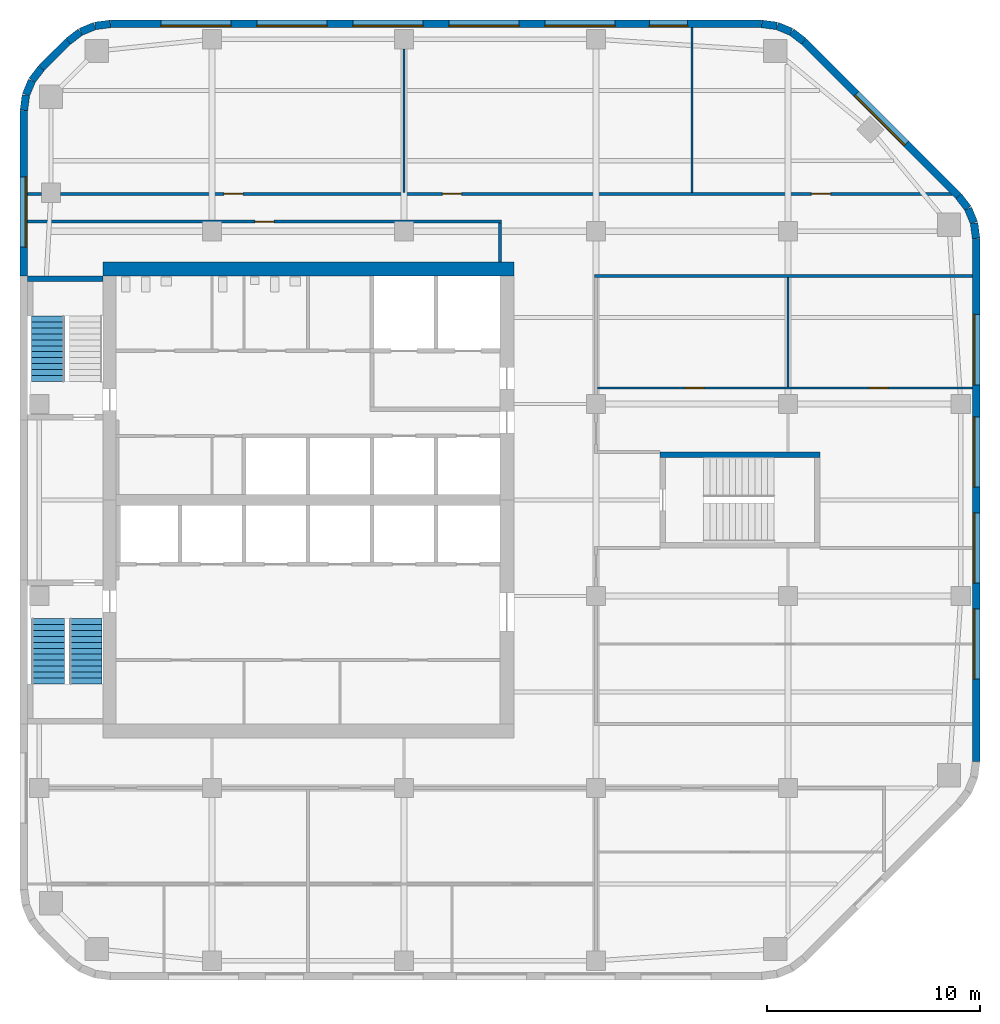
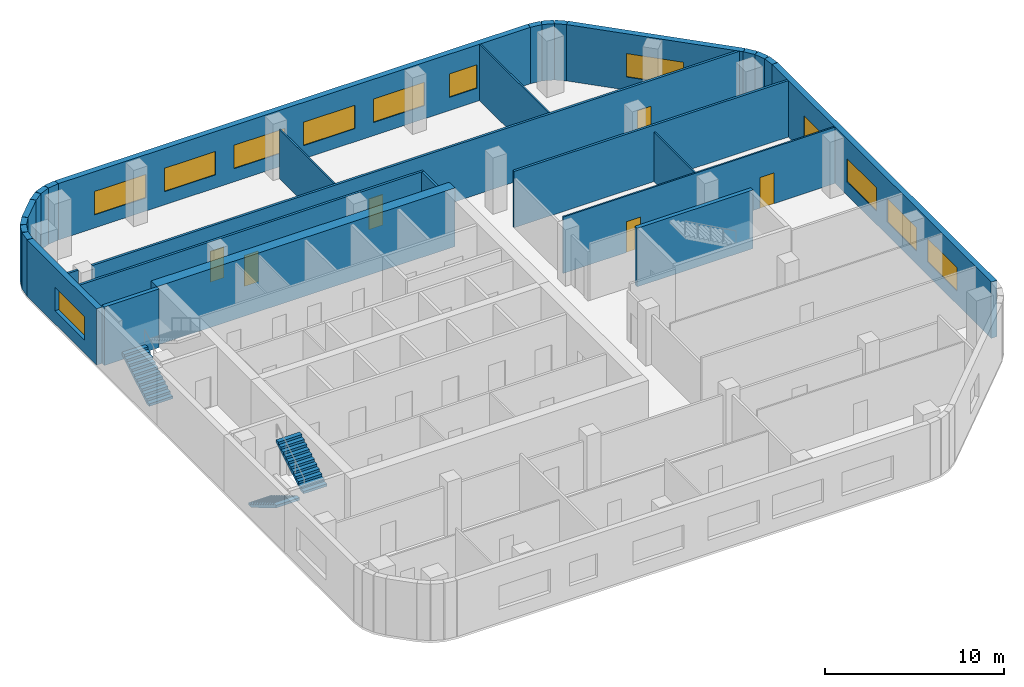
# One storey, part 5 of 8: 29 walls, 12 windows, 6 doors, 3 stair flights, 18 openings, 2 elements without a shape of their own.
"""IFC4 building model written with IfcOpenShell, lengths in metres."""

import ifcopenshell
import ifcopenshell.guid

model = None  # the IFC model being written
_history = None  # IfcOwnerHistory: only IFC2X3 demands one
_inside = {}  # id of a spatial element -> (the spatial element, [elements in it])
_under = {}  # id of a project, library or spatial element -> (it, [spatial elements below it])
_declared = {}  # id of a project -> (the project, [libraries it declares])
_typed = {}  # id of a type object -> (the type object, [elements of that type])
_made_of = {}  # id of a material, layer set ... -> (it, [elements and type objects made of it])


def new_model(schema):
    """Start an empty IFC model of exactly this schema.

    Asked for "IFC4X3", IfcOpenShell would pick the latest addendum, in which some entities
    have other attributes; the version numbers below select the first issue.
    IFC2X3 requires an IfcOwnerHistory on every rooted entity: one is made here for all.
    """
    global model, _history
    if schema == "IFC4X3":
        model = ifcopenshell.file(schema_version=(4, 3, 0, 0))
    else:
        model = ifcopenshell.file(schema=schema)
    _inside.clear()
    _under.clear()
    _declared.clear()
    _typed.clear()
    _made_of.clear()
    _history = None
    if model.schema == "IFC2X3":
        org = make("IfcOrganization", Name="unknown")
        user = make(
            "IfcPersonAndOrganization",
            ThePerson=make("IfcPerson", FamilyName="unknown"),
            TheOrganization=org,
        )
        app = make(
            "IfcApplication",
            ApplicationDeveloper=org,
            Version="unknown",
            ApplicationFullName="unknown",
            ApplicationIdentifier="unknown",
        )
        _history = make(
            "IfcOwnerHistory",
            OwningUser=user,
            OwningApplication=app,
            ChangeAction="ADDED",
            CreationDate=0,
        )
    return model


def make(cls, **values):
    """One entity of the class cls with the attributes given. An attribute that is None is left unset."""
    return model.create_entity(
        cls, **{name: value for name, value in values.items() if value is not None}
    )


def rooted(cls, **values):
    """An entity with a GlobalId (a new one), such as an element, a storey or a relation."""
    return make(cls, GlobalId=ifcopenshell.guid.new(), OwnerHistory=_history, **values)


def si_unit(unit_type, name, prefix=None):
    """IfcSIUnit, for example si_unit("LENGTHUNIT", "METRE", prefix="MILLI")."""
    return make("IfcSIUnit", UnitType=unit_type, Prefix=prefix, Name=name)


def assignment(units):
    """IfcUnitAssignment: the units of a project."""
    return None if units is None else make("IfcUnitAssignment", Units=units)


def point(xyz):
    """IfcCartesianPoint."""
    return None if xyz is None else make("IfcCartesianPoint", Coordinates=xyz)


def direction(xyz):
    """IfcDirection."""
    return None if xyz is None else make("IfcDirection", DirectionRatios=xyz)


def frame(location, z_axis=None, x_axis=None):
    """IfcAxis2Placement3D, a coordinate frame: its origin and axes. An axis left out is left unset."""
    return make(
        "IfcAxis2Placement3D",
        Location=point(location),
        Axis=direction(z_axis),
        RefDirection=direction(x_axis),
    )


def frame_2d(location, x_axis=None):
    """IfcAxis2Placement2D, a coordinate frame in the plane: its origin and x axis."""
    return make(
        "IfcAxis2Placement2D", Location=point(location), RefDirection=direction(x_axis)
    )


def origin():
    """The frame at (0, 0, 0) with its axes left unset."""
    return frame((0.0, 0.0, 0.0))


def place(relative_to, where):
    """IfcLocalPlacement: puts the frame where relative to a parent placement (None: the world)."""
    return make(
        "IfcLocalPlacement", PlacementRelTo=relative_to, RelativePlacement=where
    )


def context(
    kind, dimensions, precision=None, world=None, true_north=None, identifier=None
):
    """IfcGeometricRepresentationContext, for example the 3D "Model" context."""
    return make(
        "IfcGeometricRepresentationContext",
        ContextIdentifier=identifier,
        ContextType=kind,
        CoordinateSpaceDimension=dimensions,
        Precision=precision,
        WorldCoordinateSystem=world,
        TrueNorth=true_north,
    )


def subcontext(parent, identifier, kind, view, scale=None):
    """IfcGeometricRepresentationSubContext, for example "Body" below "Model"."""
    return make(
        "IfcGeometricRepresentationSubContext",
        ContextIdentifier=identifier,
        ContextType=kind,
        ParentContext=parent,
        TargetScale=scale,
        TargetView=view,
    )


def project(units=None, contexts=None):
    """IfcProject with its units and contexts."""
    return rooted(
        "IfcProject",
        Name="project",
        RepresentationContexts=contexts,
        UnitsInContext=assignment(units),
    )


def spatial(cls, under=None, at=None, **own):
    """A site, building, storey or space (cls), placed at a placement, below another one or the project."""
    s = rooted(cls, ObjectPlacement=at, **own)
    if under is not None:
        _under.setdefault(under.id(), (under, []))[1].append(s)
    return s


def polyline(points):
    """IfcPolyline through the points."""
    return make("IfcPolyline", Points=[point(p) for p in points])


def profile(cls, at=None, kind="AREA", **sizes):
    """A parametric profile (cls). Its sizes go by their IFC names, for example OverallWidth=200.0."""
    return make(cls, ProfileType=kind, Position=at, **sizes)


def rectangle(**sizes):
    """IfcRectangleProfileDef."""
    return profile("IfcRectangleProfileDef", **sizes)


def outline(outer, holes=None, kind="AREA"):
    """IfcArbitraryClosedProfileDef: a profile drawn as a closed curve; with holes, ...WithVoids."""
    if holes is None:
        return make("IfcArbitraryClosedProfileDef", ProfileType=kind, OuterCurve=outer)
    return make(
        "IfcArbitraryProfileDefWithVoids",
        ProfileType=kind,
        OuterCurve=outer,
        InnerCurves=holes,
    )


def extrude(swept, where, along, depth):
    """IfcExtrudedAreaSolid: the profile swept, set in the frame where, extruded along a direction by depth."""
    return make(
        "IfcExtrudedAreaSolid",
        SweptArea=swept,
        Position=where,
        ExtrudedDirection=direction(along),
        Depth=depth,
    )


def shape(context_of_items, identifier, shape_type, items):
    """IfcShapeRepresentation: the items that make up one representation, for example the "Body"."""
    return make(
        "IfcShapeRepresentation",
        ContextOfItems=context_of_items,
        RepresentationIdentifier=identifier,
        RepresentationType=shape_type,
        Items=items,
    )


def material(Name=None, Category=None):
    """IfcMaterial."""
    return make("IfcMaterial", Name=Name, Category=Category)


def layer(
    of_material, thickness, ventilated=None, Name=None, Category=None, Priority=None
):
    """IfcMaterialLayer: one layer of a wall or slab, of a material (None: an air gap)."""
    return make(
        "IfcMaterialLayer",
        Material=of_material,
        LayerThickness=thickness,
        IsVentilated=ventilated,
        Name=Name,
        Category=Category,
        Priority=Priority,
    )


def layer_set(layers, Name=None):
    """IfcMaterialLayerSet."""
    return make("IfcMaterialLayerSet", MaterialLayers=layers, LayerSetName=Name)


def made_of(thing, what):
    """Note that an element or type object is made of a material, layer set ...; save() writes the relation."""
    if what is not None:
        _made_of.setdefault(what.id(), (what, []))[1].append(thing)
    return thing


def type_object(cls, material=None, **own):
    """A type object (cls), such as IfcWallType, which elements share."""
    return made_of(rooted(cls, **own), material)


def element(
    cls,
    number,
    at=None,
    inside=None,
    cuts=None,
    type_object=None,
    material=None,
    context=None,
    identifier="Body",
    shape_type=None,
    held_by="IfcProductDefinitionShape",
    body=None,
    shapes=None,
    **own,
):
    """One element of the class cls, such as IfcWall. Its Tag is "e" and its number.

    at: its placement. inside: the storey or other place that contains it. cuts: it is an
    opening in that element (IfcRelVoidsElement). A single representation is given by context,
    identifier, shape_type and body (its items); several are given by shapes. held_by: the class
    of the entity that holds the representations. save() writes the other relations.
    """
    e = rooted(cls, Tag="e%d" % number, ObjectPlacement=at, **own)
    if body is not None:
        shapes = [shape(context, identifier, shape_type, body)]
    if shapes is not None:
        e.Representation = make(held_by, Representations=shapes)
    if inside is not None:
        _inside.setdefault(inside.id(), (inside, []))[1].append(e)
    if cuts is not None:
        rooted(
            "IfcRelVoidsElement", RelatingBuildingElement=cuts, RelatedOpeningElement=e
        )
    if type_object is not None:
        _typed.setdefault(type_object.id(), (type_object, []))[1].append(e)
    return made_of(e, material)


def fill(opening, filler):
    """IfcRelFillsElement: the door or window that sits in an opening."""
    return rooted(
        "IfcRelFillsElement",
        RelatingOpeningElement=opening,
        RelatedBuildingElement=filler,
    )


def aggregate(whole, parts):
    """IfcRelAggregates: a whole, such as a stair, and the parts it consists of."""
    return rooted("IfcRelAggregates", RelatingObject=whole, RelatedObjects=parts)


def save(model, path):
    """Write the relations noted so far, then the file.

    IfcRelAggregates (storeys below a building ...), IfcRelContainedInSpatialStructure (elements
    in a storey), IfcRelDefinesByType, IfcRelAssociatesMaterial and IfcRelDeclares: one each for
    every whole, place, type object, material and project.
    """
    for whole, parts in _under.values():
        aggregate(whole, parts)
    for where, things in _inside.values():
        rooted(
            "IfcRelContainedInSpatialStructure",
            RelatedElements=things,
            RelatingStructure=where,
        )
    for kind, things in _typed.values():
        rooted("IfcRelDefinesByType", RelatedObjects=things, RelatingType=kind)
    for what, things in _made_of.values():
        rooted("IfcRelAssociatesMaterial", RelatedObjects=things, RelatingMaterial=what)
    for by, libraries in _declared.values():
        rooted("IfcRelDeclares", RelatingContext=by, RelatedDefinitions=libraries)
    model.write(path)


model = new_model("IFC4")

# Units and contexts
model_context = context("Model", 3, precision=1e-05, world=origin(), true_north=direction((0.0, 1.0)))
body_context = subcontext(model_context, "Body", "Model", "MODEL_VIEW")
ifc_project = project(units=[si_unit("LENGTHUNIT", "METRE"), si_unit("AREAUNIT", "SQUARE_METRE"), si_unit("VOLUMEUNIT", "CUBIC_METRE"), si_unit("PLANEANGLEUNIT", "RADIAN"), si_unit("MASSUNIT", "GRAM", prefix="KILO")], contexts=[model_context])

# Site, building, storey
site_placement = place(None, origin())
site = spatial("IfcSite", under=ifc_project, at=site_placement, CompositionType="ELEMENT")
building_placement = place(site_placement, origin())
building = spatial("IfcBuilding", under=site, at=building_placement, Name="Cinnabar Reach Civic Tower", CompositionType="ELEMENT")
storey_placement = place(building_placement, frame((0.0, 0.0, 181.0)))
storey = spatial("IfcBuildingStorey", under=building, at=storey_placement, Name="L43", CompositionType="ELEMENT", Elevation=181.0)

# Walls
ifc_material_1 = material(Name="Facing brick with insulated backing", Category="masonry")
ifc_layer_1 = layer(ifc_material_1, 0.36)
ifc_layer_set_1 = layer_set([ifc_layer_1], Name="Brick corner wall")
wall_type_1 = type_object("IfcWallType", Name="Brick corner wall", PredefinedType="STANDARD", material=ifc_layer_set_1)
for number, where, z_axis, x_axis, name in (
    (1, (44.817, 43.7686, 0.0), (0.0, 0.0, 1.0), (-0.13055608231, 0.99144092581, 0.0), "Brick corner wall"),
    (2, (44.7181, 44.4973, 0.0), (0.0, 0.0, 1.0), (-0.382702709855, 0.923871547278, 0.0), "Brick corner wall"),
):
    element("IfcWall", number, at=place(storey_placement, frame(where, z_axis=z_axis, x_axis=x_axis)), inside=storey, type_object=wall_type_1, Name=name, PredefinedType="STANDARD", context=body_context, shape_type="SweptSolid", body=[
        extrude(rectangle(XDim=0.7131, YDim=0.36, at=frame_2d((0.3565, 0.0))), origin(), (0.0, 0.0, 1.0), 3.85),
    ])
for number, where, z_axis, x_axis, name in (
    (3, (44.434, 45.1755, 0.0), (0.0, 0.0, 1.0), (-0.608802368033, 0.793321924995, 0.0), "Brick corner wall"),
    (4, (36.7413, 52.9998, 0.0), (0.0, 0.0, 1.0), (-0.793321924995, 0.608802368033, 0.0), "Brick corner wall"),
):
    element("IfcWall", number, at=place(storey_placement, frame(where, z_axis=z_axis, x_axis=x_axis)), inside=storey, type_object=wall_type_1, Name=name, PredefinedType="STANDARD", context=body_context, shape_type="SweptSolid", body=[
        extrude(rectangle(XDim=0.7132, YDim=0.36, at=frame_2d((0.3566, 0.0))), origin(), (0.0, 0.0, 1.0), 3.85),
    ])
for number, where, z_axis, x_axis, name in (
    (5, (36.1561, 53.4452, 0.0), (0.0, 0.0, 1.0), (-0.923871547278, 0.382702709855, 0.0), "Brick corner wall"),
    (6, (35.4756, 53.7239, 0.0), (0.0, 0.0, 1.0), (-0.99144092581, 0.13055608231, 0.0), "Brick corner wall"),
    (7, (4.2314, 53.817, 0.0), (0.0, 0.0, 1.0), (-0.99144092581, -0.13055608231, 0.0), "Brick corner wall"),
    (8, (3.5027, 53.7181, 0.0), (0.0, 0.0, 1.0), (-0.923871547278, -0.382702709855, 0.0), "Brick corner wall"),
):
    element("IfcWall", number, at=place(storey_placement, frame(where, z_axis=z_axis, x_axis=x_axis)), inside=storey, type_object=wall_type_1, Name=name, PredefinedType="STANDARD", context=body_context, shape_type="SweptSolid", body=[
        extrude(rectangle(XDim=0.7131, YDim=0.36, at=frame_2d((0.3565, 0.0))), origin(), (0.0, 0.0, 1.0), 3.85),
    ])
for number, where, z_axis, x_axis, name in (
    (9, (2.8245, 53.434, 0.0), (0.0, 0.0, 1.0), (-0.793321924995, -0.608802368033, 0.0), "Brick corner wall"),
    (10, (1.0002, 51.7413, 0.0), (0.0, 0.0, 1.0), (-0.608802368033, -0.793321924995, 0.0), "Brick corner wall"),
):
    element("IfcWall", number, at=place(storey_placement, frame(where, z_axis=z_axis, x_axis=x_axis)), inside=storey, type_object=wall_type_1, Name=name, PredefinedType="STANDARD", context=body_context, shape_type="SweptSolid", body=[
        extrude(rectangle(XDim=0.7132, YDim=0.36, at=frame_2d((0.3566, 0.0))), origin(), (0.0, 0.0, 1.0), 3.85),
    ])
for number, where, z_axis, x_axis, name in (
    (11, (0.5548, 51.1561, 0.0), (0.0, 0.0, 1.0), (-0.382702709855, -0.923871547278, 0.0), "Brick corner wall"),
    (12, (0.2761, 50.4756, 0.0), (0.0, 0.0, 1.0), (-0.13055608231, -0.99144092581, 0.0), "Brick corner wall"),
):
    element("IfcWall", number, at=place(storey_placement, frame(where, z_axis=z_axis, x_axis=x_axis)), inside=storey, type_object=wall_type_1, Name=name, PredefinedType="STANDARD", context=body_context, shape_type="SweptSolid", body=[
        extrude(rectangle(XDim=0.7131, YDim=0.36, at=frame_2d((0.3565, 0.0))), origin(), (0.0, 0.0, 1.0), 3.85),
    ])

# Wall, openings, windows
ifc_layer_2 = layer(ifc_material_1, 0.36)
ifc_layer_set_2 = layer_set([ifc_layer_2], Name="Brick pier and spandrel wall")
wall_type_2 = type_object("IfcWallType", Name="Brick pier and spandrel wall", PredefinedType="STANDARD", material=ifc_layer_set_2)
wall_1_placement = place(storey_placement, frame((44.82, 19.2426, 0.0), z_axis=(0.0, 0.0, 1.0), x_axis=(0.0, 1.0, 0.0)))
wall_1 = element("IfcWall", 13, at=wall_1_placement, inside=storey, type_object=wall_type_2, Name="Brick facade wall", PredefinedType="STANDARD", context=body_context, shape_type="SweptSolid", body=[
    extrude(rectangle(XDim=24.5148, YDim=0.36, at=frame_2d((12.2574, 0.0))), origin(), (0.0, 0.0, 1.0), 3.85),
])
opening_1_placement = place(wall_1_placement, frame((3.8574, 0.0, 0.9)))
opening_1 = element("IfcOpeningElement", 14, at=opening_1_placement, cuts=wall_1, Name="Opening W1888", PredefinedType="OPENING", context=body_context, shape_type="SweptSolid", body=[
    extrude(rectangle(XDim=3.3, YDim=1.6, at=frame_2d((1.65, 0.8))), frame((0.0, 0.19, 0.0), z_axis=(0.0, -1.0, 0.0), x_axis=(1.0, 0.0, 0.0)), (0.0, 0.0, 1.0), 0.38),
])
opening_2_placement = place(wall_1_placement, frame((8.3574, 0.0, 0.9)))
opening_2 = element("IfcOpeningElement", 15, at=opening_2_placement, cuts=wall_1, Name="Opening W1889", PredefinedType="OPENING", context=body_context, shape_type="SweptSolid", body=[
    extrude(rectangle(XDim=3.3, YDim=1.6, at=frame_2d((1.65, 0.8))), frame((0.0, 0.19, 0.0), z_axis=(0.0, -1.0, 0.0), x_axis=(1.0, 0.0, 0.0)), (0.0, 0.0, 1.0), 0.38),
])
opening_3_placement = place(wall_1_placement, frame((12.8574, 0.0, 0.9)))
opening_3 = element("IfcOpeningElement", 16, at=opening_3_placement, cuts=wall_1, Name="Opening W1890", PredefinedType="OPENING", context=body_context, shape_type="SweptSolid", body=[
    extrude(rectangle(XDim=3.3, YDim=1.6, at=frame_2d((1.65, 0.8))), frame((0.0, 0.19, 0.0), z_axis=(0.0, -1.0, 0.0), x_axis=(1.0, 0.0, 0.0)), (0.0, 0.0, 1.0), 0.38),
])
opening_4_placement = place(wall_1_placement, frame((17.6574, 0.0, 0.9)))
opening_4 = element("IfcOpeningElement", 17, at=opening_4_placement, cuts=wall_1, Name="Opening W1891", PredefinedType="OPENING", context=body_context, shape_type="SweptSolid", body=[
    extrude(rectangle(XDim=3.3, YDim=1.6, at=frame_2d((1.65, 0.8))), frame((0.0, 0.19, 0.0), z_axis=(0.0, -1.0, 0.0), x_axis=(1.0, 0.0, 0.0)), (0.0, 0.0, 1.0), 0.38),
])
ifc_material_2 = material(Name="Clear double glazing in aluminium frame", Category="aluminium")
window_type_1 = type_object("IfcWindowType", Name="Deep-set window A", PartitioningType="SINGLE_PANEL", PredefinedType="WINDOW", material=ifc_material_2)
window_1_placement = place(opening_1_placement, origin())
window_1 = element("IfcWindow", 18, at=window_1_placement, inside=storey, type_object=window_type_1, Name="Window east face", OverallHeight=1.6, OverallWidth=3.3, PartitioningType="SINGLE_PANEL", PredefinedType="WINDOW", context=body_context, shape_type="SweptSolid", body=[
    extrude(rectangle(XDim=3.3, YDim=1.6, at=frame_2d((1.65, 0.8))), frame((0.0, 0.13, 0.0), z_axis=(0.0, -1.0, 0.0), x_axis=(1.0, 0.0, 0.0)), (0.0, 0.0, 1.0), 0.06),
])
fill(opening_1, window_1)
window_2_placement = place(opening_2_placement, origin())
window_2 = element("IfcWindow", 19, at=window_2_placement, inside=storey, type_object=window_type_1, Name="Window east face", OverallHeight=1.6, OverallWidth=3.3, PartitioningType="SINGLE_PANEL", PredefinedType="WINDOW", context=body_context, shape_type="SweptSolid", body=[
    extrude(rectangle(XDim=3.3, YDim=1.6, at=frame_2d((1.65, 0.8))), frame((0.0, 0.13, 0.0), z_axis=(0.0, -1.0, 0.0), x_axis=(1.0, 0.0, 0.0)), (0.0, 0.0, 1.0), 0.06),
])
fill(opening_2, window_2)
window_3_placement = place(opening_3_placement, origin())
window_3 = element("IfcWindow", 20, at=window_3_placement, inside=storey, type_object=window_type_1, Name="Window east face", OverallHeight=1.6, OverallWidth=3.3, PartitioningType="SINGLE_PANEL", PredefinedType="WINDOW", context=body_context, shape_type="SweptSolid", body=[
    extrude(rectangle(XDim=3.3, YDim=1.6, at=frame_2d((1.65, 0.8))), frame((0.0, 0.13, 0.0), z_axis=(0.0, -1.0, 0.0), x_axis=(1.0, 0.0, 0.0)), (0.0, 0.0, 1.0), 0.06),
])
fill(opening_3, window_3)
window_4_placement = place(opening_4_placement, origin())
window_4 = element("IfcWindow", 21, at=window_4_placement, inside=storey, type_object=window_type_1, Name="Window east face", OverallHeight=1.6, OverallWidth=3.3, PartitioningType="SINGLE_PANEL", PredefinedType="WINDOW", context=body_context, shape_type="SweptSolid", body=[
    extrude(rectangle(XDim=3.3, YDim=1.6, at=frame_2d((1.65, 0.8))), frame((0.0, 0.13, 0.0), z_axis=(0.0, -1.0, 0.0), x_axis=(1.0, 0.0, 0.0)), (0.0, 0.0, 1.0), 0.06),
])
fill(opening_4, window_4)

# Wall, opening, window
wall_2_placement = place(storey_placement, frame((43.994, 45.7514, 0.0), z_axis=(0.0, 0.0, 1.0), x_axis=(-0.707106781187, 0.707106781187, 0.0)))
wall_2 = element("IfcWall", 22, at=wall_2_placement, inside=storey, type_object=wall_type_2, Name="Brick facade wall", PredefinedType="STANDARD", context=body_context, shape_type="SweptSolid", body=[
    extrude(rectangle(XDim=10.2426, YDim=0.36, at=frame_2d((5.1213, 0.0))), origin(), (0.0, 0.0, 1.0), 3.85),
])
opening_5_placement = place(wall_2_placement, frame((3.4713, 0.0, 0.9)))
opening_5 = element("IfcOpeningElement", 23, at=opening_5_placement, cuts=wall_2, Name="Opening W1892", PredefinedType="OPENING", context=body_context, shape_type="SweptSolid", body=[
    extrude(rectangle(XDim=3.3, YDim=1.6, at=frame_2d((1.65, 0.8))), frame((0.0, 0.19, 0.0), z_axis=(0.0, -1.0, 0.0), x_axis=(1.0, 0.0, 0.0)), (0.0, 0.0, 1.0), 0.38),
])
window_5_placement = place(opening_5_placement, origin())
window_5 = element("IfcWindow", 24, at=window_5_placement, inside=storey, type_object=window_type_1, Name="Window northeast face", OverallHeight=1.6, OverallWidth=3.3, PartitioningType="SINGLE_PANEL", PredefinedType="WINDOW", context=body_context, shape_type="SweptSolid", body=[
    extrude(rectangle(XDim=3.3, YDim=1.6, at=frame_2d((1.65, 0.8))), frame((0.0, 0.13, 0.0), z_axis=(0.0, -1.0, 0.0), x_axis=(1.0, 0.0, 0.0)), (0.0, 0.0, 1.0), 0.06),
])
fill(opening_5, window_5)

# Wall, openings, windows
wall_3_placement = place(storey_placement, frame((34.7574, 53.82, 0.0), z_axis=(0.0, 0.0, 1.0), x_axis=(-1.0, 0.0, 0.0)))
wall_3 = element("IfcWall", 25, at=wall_3_placement, inside=storey, type_object=wall_type_2, Name="Brick facade wall", PredefinedType="STANDARD", context=body_context, shape_type="SweptSolid", body=[
    extrude(rectangle(XDim=30.5148, YDim=0.36, at=frame_2d((15.2574, 0.0))), origin(), (0.0, 0.0, 1.0), 3.85),
])
opening_6_placement = place(wall_3_placement, frame((3.4574, 0.0, 0.9)))
opening_6 = element("IfcOpeningElement", 26, at=opening_6_placement, cuts=wall_3, Name="Opening W1893", PredefinedType="OPENING", context=body_context, shape_type="SweptSolid", body=[
    extrude(rectangle(XDim=1.8, YDim=1.6, at=frame_2d((0.9, 0.8))), frame((0.0, 0.19, 0.0), z_axis=(0.0, -1.0, 0.0), x_axis=(1.0, 0.0, 0.0)), (0.0, 0.0, 1.0), 0.38),
])
opening_7_placement = place(wall_3_placement, frame((6.8574, 0.0, 0.9)))
opening_7 = element("IfcOpeningElement", 27, at=opening_7_placement, cuts=wall_3, Name="Opening W1894", PredefinedType="OPENING", context=body_context, shape_type="SweptSolid", body=[
    extrude(rectangle(XDim=3.3, YDim=1.6, at=frame_2d((1.65, 0.8))), frame((0.0, 0.19, 0.0), z_axis=(0.0, -1.0, 0.0), x_axis=(1.0, 0.0, 0.0)), (0.0, 0.0, 1.0), 0.38),
])
opening_8_placement = place(wall_3_placement, frame((11.3574, 0.0, 0.9)))
opening_8 = element("IfcOpeningElement", 28, at=opening_8_placement, cuts=wall_3, Name="Opening W1895", PredefinedType="OPENING", context=body_context, shape_type="SweptSolid", body=[
    extrude(rectangle(XDim=3.3, YDim=1.6, at=frame_2d((1.65, 0.8))), frame((0.0, 0.19, 0.0), z_axis=(0.0, -1.0, 0.0), x_axis=(1.0, 0.0, 0.0)), (0.0, 0.0, 1.0), 0.38),
])
opening_9_placement = place(wall_3_placement, frame((15.8574, 0.0, 0.9)))
opening_9 = element("IfcOpeningElement", 29, at=opening_9_placement, cuts=wall_3, Name="Opening W1896", PredefinedType="OPENING", context=body_context, shape_type="SweptSolid", body=[
    extrude(rectangle(XDim=3.3, YDim=1.6, at=frame_2d((1.65, 0.8))), frame((0.0, 0.19, 0.0), z_axis=(0.0, -1.0, 0.0), x_axis=(1.0, 0.0, 0.0)), (0.0, 0.0, 1.0), 0.38),
])
opening_10_placement = place(wall_3_placement, frame((20.3574, 0.0, 0.9)))
opening_10 = element("IfcOpeningElement", 30, at=opening_10_placement, cuts=wall_3, Name="Opening W1897", PredefinedType="OPENING", context=body_context, shape_type="SweptSolid", body=[
    extrude(rectangle(XDim=3.3, YDim=1.6, at=frame_2d((1.65, 0.8))), frame((0.0, 0.19, 0.0), z_axis=(0.0, -1.0, 0.0), x_axis=(1.0, 0.0, 0.0)), (0.0, 0.0, 1.0), 0.38),
])
opening_11_placement = place(wall_3_placement, frame((24.8574, 0.0, 0.9)))
opening_11 = element("IfcOpeningElement", 31, at=opening_11_placement, cuts=wall_3, Name="Opening W1898", PredefinedType="OPENING", context=body_context, shape_type="SweptSolid", body=[
    extrude(rectangle(XDim=3.3, YDim=1.6, at=frame_2d((1.65, 0.8))), frame((0.0, 0.19, 0.0), z_axis=(0.0, -1.0, 0.0), x_axis=(1.0, 0.0, 0.0)), (0.0, 0.0, 1.0), 0.38),
])
window_6_placement = place(opening_7_placement, origin())
window_6 = element("IfcWindow", 32, at=window_6_placement, inside=storey, type_object=window_type_1, Name="Window north face", OverallHeight=1.6, OverallWidth=3.3, PartitioningType="SINGLE_PANEL", PredefinedType="WINDOW", context=body_context, shape_type="SweptSolid", body=[
    extrude(rectangle(XDim=3.3, YDim=1.6, at=frame_2d((1.65, 0.8))), frame((0.0, 0.13, 0.0), z_axis=(0.0, -1.0, 0.0), x_axis=(1.0, 0.0, 0.0)), (0.0, 0.0, 1.0), 0.06),
])
fill(opening_7, window_6)
window_7_placement = place(opening_8_placement, origin())
window_7 = element("IfcWindow", 33, at=window_7_placement, inside=storey, type_object=window_type_1, Name="Window north face", OverallHeight=1.6, OverallWidth=3.3, PartitioningType="SINGLE_PANEL", PredefinedType="WINDOW", context=body_context, shape_type="SweptSolid", body=[
    extrude(rectangle(XDim=3.3, YDim=1.6, at=frame_2d((1.65, 0.8))), frame((0.0, 0.13, 0.0), z_axis=(0.0, -1.0, 0.0), x_axis=(1.0, 0.0, 0.0)), (0.0, 0.0, 1.0), 0.06),
])
fill(opening_8, window_7)
window_8_placement = place(opening_9_placement, origin())
window_8 = element("IfcWindow", 34, at=window_8_placement, inside=storey, type_object=window_type_1, Name="Window north face", OverallHeight=1.6, OverallWidth=3.3, PartitioningType="SINGLE_PANEL", PredefinedType="WINDOW", context=body_context, shape_type="SweptSolid", body=[
    extrude(rectangle(XDim=3.3, YDim=1.6, at=frame_2d((1.65, 0.8))), frame((0.0, 0.13, 0.0), z_axis=(0.0, -1.0, 0.0), x_axis=(1.0, 0.0, 0.0)), (0.0, 0.0, 1.0), 0.06),
])
fill(opening_9, window_8)
window_9_placement = place(opening_10_placement, origin())
window_9 = element("IfcWindow", 35, at=window_9_placement, inside=storey, type_object=window_type_1, Name="Window north face", OverallHeight=1.6, OverallWidth=3.3, PartitioningType="SINGLE_PANEL", PredefinedType="WINDOW", context=body_context, shape_type="SweptSolid", body=[
    extrude(rectangle(XDim=3.3, YDim=1.6, at=frame_2d((1.65, 0.8))), frame((0.0, 0.13, 0.0), z_axis=(0.0, -1.0, 0.0), x_axis=(1.0, 0.0, 0.0)), (0.0, 0.0, 1.0), 0.06),
])
fill(opening_10, window_9)
window_10_placement = place(opening_11_placement, origin())
window_10 = element("IfcWindow", 36, at=window_10_placement, inside=storey, type_object=window_type_1, Name="Window north face", OverallHeight=1.6, OverallWidth=3.3, PartitioningType="SINGLE_PANEL", PredefinedType="WINDOW", context=body_context, shape_type="SweptSolid", body=[
    extrude(rectangle(XDim=3.3, YDim=1.6, at=frame_2d((1.65, 0.8))), frame((0.0, 0.13, 0.0), z_axis=(0.0, -1.0, 0.0), x_axis=(1.0, 0.0, 0.0)), (0.0, 0.0, 1.0), 0.06),
])
fill(opening_11, window_10)
window_type_2 = type_object("IfcWindowType", Name="Deep-set window D", PartitioningType="SINGLE_PANEL", PredefinedType="WINDOW", material=ifc_material_2)
window_11_placement = place(opening_6_placement, origin())
window_11 = element("IfcWindow", 37, at=window_11_placement, inside=storey, type_object=window_type_2, Name="Window north face", OverallHeight=1.6, OverallWidth=1.8, PartitioningType="SINGLE_PANEL", PredefinedType="WINDOW", context=body_context, shape_type="SweptSolid", body=[
    extrude(rectangle(XDim=1.8, YDim=1.6, at=frame_2d((0.9, 0.8))), frame((0.0, 0.13, 0.0), z_axis=(0.0, -1.0, 0.0), x_axis=(1.0, 0.0, 0.0)), (0.0, 0.0, 1.0), 0.06),
])
fill(opening_6, window_11)

# Wall
wall_4_placement = place(storey_placement, frame((2.2486, 52.994, 0.0), z_axis=(0.0, 0.0, 1.0), x_axis=(-0.707106781187, -0.707106781187, 0.0)))
element("IfcWall", 38, at=wall_4_placement, inside=storey, type_object=wall_type_2, Name="Brick facade wall", PredefinedType="STANDARD", context=body_context, shape_type="SweptSolid", body=[
    extrude(rectangle(XDim=1.7573, YDim=0.36, at=frame_2d((0.8787, 0.0))), origin(), (0.0, 0.0, 1.0), 3.85),
])

# Wall, opening, window
wall_5_placement = place(storey_placement, frame((0.18, 49.7574, 0.0), z_axis=(0.0, 0.0, 1.0), x_axis=(0.0, -1.0, 0.0)))
wall_5 = element("IfcWall", 39, at=wall_5_placement, inside=storey, type_object=wall_type_2, Name="Brick facade wall", PredefinedType="STANDARD", context=body_context, shape_type="SweptSolid", body=[
    extrude(rectangle(XDim=7.7574, YDim=0.36, at=frame_2d((3.8787, 0.0))), origin(), (0.0, 0.0, 1.0), 3.85),
])
opening_12_placement = place(wall_5_placement, frame((3.1074, 0.0, 0.9)))
opening_12 = element("IfcOpeningElement", 40, at=opening_12_placement, cuts=wall_5, Name="Opening W1899", PredefinedType="OPENING", context=body_context, shape_type="SweptSolid", body=[
    extrude(rectangle(XDim=3.3, YDim=1.6, at=frame_2d((1.65, 0.8))), frame((0.0, 0.19, 0.0), z_axis=(0.0, -1.0, 0.0), x_axis=(1.0, 0.0, 0.0)), (0.0, 0.0, 1.0), 0.38),
])
window_12_placement = place(opening_12_placement, origin())
window_12 = element("IfcWindow", 41, at=window_12_placement, inside=storey, type_object=window_type_1, Name="Window west face", OverallHeight=1.6, OverallWidth=3.3, PartitioningType="SINGLE_PANEL", PredefinedType="WINDOW", context=body_context, shape_type="SweptSolid", body=[
    extrude(rectangle(XDim=3.3, YDim=1.6, at=frame_2d((1.65, 0.8))), frame((0.0, 0.13, 0.0), z_axis=(0.0, -1.0, 0.0), x_axis=(1.0, 0.0, 0.0)), (0.0, 0.0, 1.0), 0.06),
])
fill(opening_12, window_12)

# Wall
ifc_material_3 = material(Name="Concrete C70", Category="concrete")
ifc_layer_3 = layer(ifc_material_3, 0.65)
ifc_layer_set_3 = layer_set([ifc_layer_3], Name="Core wall 650 EI 180")
wall_type_3 = type_object("IfcWallType", Name="Core wall 650 EI 180", PredefinedType="SOLIDWALL", material=ifc_layer_set_3)
wall_6_placement = place(storey_placement, frame((23.15, 42.325, 0.0), z_axis=(0.0, 0.0, 1.0), x_axis=(-1.0, 0.0, 0.0)))
element("IfcWall", 42, at=wall_6_placement, inside=storey, type_object=wall_type_3, Name="Core wall T1 L43 N", PredefinedType="SOLIDWALL", context=body_context, shape_type="SweptSolid", body=[
    extrude(rectangle(XDim=19.25, YDim=0.65, at=frame_2d((9.625, 0.0))), origin(), (0.0, 0.0, 1.0), 4.0),
])

# Wall, openings, doors
ifc_material_4 = material(Name="Gypsum board on steel studs, double layer", Category="steel")
ifc_layer_4 = layer(ifc_material_4, 0.15)
ifc_layer_set_4 = layer_set([ifc_layer_4], Name="Corridor wall 150 T1")
wall_type_4 = type_object("IfcWallType", Name="Corridor wall 150 T1", PredefinedType="PARTITIONING", material=ifc_layer_set_4)
wall_7_placement = place(storey_placement, frame((1.9031, 45.85, 0.0), z_axis=(0.0, 0.0, 1.0), x_axis=(1.0, 0.0, 0.0)))
wall_7 = element("IfcWall", 43, at=wall_7_placement, inside=storey, type_object=wall_type_4, Name="Corridor wall 18", PredefinedType="PARTITIONING", context=body_context, shape_type="SweptSolid", body=[
    extrude(rectangle(XDim=41.8128, YDim=0.15, at=frame_2d((20.9064, 0.0))), origin(), (0.0, 0.0, 1.0), 3.85),
])
opening_13_placement = place(wall_7_placement, frame((7.65, 0.0, 0.0)))
opening_13 = element("IfcOpeningElement", 44, at=opening_13_placement, cuts=wall_7, Name="Opening D4791", PredefinedType="OPENING", context=body_context, shape_type="SweptSolid", body=[
    extrude(rectangle(XDim=0.9, YDim=2.1, at=frame_2d((0.45, 1.05))), frame((0.0, 0.085, 0.0), z_axis=(0.0, -1.0, 0.0), x_axis=(1.0, 0.0, 0.0)), (0.0, 0.0, 1.0), 0.17),
])
opening_14_placement = place(wall_7_placement, frame((17.8969, 0.0, 0.0)))
opening_14 = element("IfcOpeningElement", 45, at=opening_14_placement, cuts=wall_7, Name="Opening D4792", PredefinedType="OPENING", context=body_context, shape_type="SweptSolid", body=[
    extrude(rectangle(XDim=0.9, YDim=2.1, at=frame_2d((0.45, 1.05))), frame((0.0, 0.085, 0.0), z_axis=(0.0, -1.0, 0.0), x_axis=(1.0, 0.0, 0.0)), (0.0, 0.0, 1.0), 0.17),
])
opening_15_placement = place(wall_7_placement, frame((35.1969, 0.0, 0.0)))
opening_15 = element("IfcOpeningElement", 46, at=opening_15_placement, cuts=wall_7, Name="Opening D4793", PredefinedType="OPENING", context=body_context, shape_type="SweptSolid", body=[
    extrude(rectangle(XDim=0.9, YDim=2.1, at=frame_2d((0.45, 1.05))), frame((0.0, 0.085, 0.0), z_axis=(0.0, -1.0, 0.0), x_axis=(1.0, 0.0, 0.0)), (0.0, 0.0, 1.0), 0.17),
])
ifc_material_5 = material(Name="Timber door leaf in steel frame", Category="steel")
door_type_1 = type_object("IfcDoorType", Name="Single swing door 900 x 2100 corridor T1", OperationType="SINGLE_SWING_LEFT", PredefinedType="DOOR", material=ifc_material_5)
door_1_placement = place(opening_13_placement, origin())
door_1 = element("IfcDoor", 47, at=door_1_placement, inside=storey, type_object=door_type_1, Name="Door D4791", OperationType="SINGLE_SWING_RIGHT", OverallHeight=2.1, OverallWidth=0.9, PredefinedType="DOOR", context=body_context, shape_type="SweptSolid", body=[
    extrude(rectangle(XDim=0.9, YDim=2.1, at=frame_2d((0.45, 1.05))), frame((0.0, 0.025, 0.0), z_axis=(0.0, -1.0, 0.0), x_axis=(1.0, 0.0, 0.0)), (0.0, 0.0, 1.0), 0.05),
])
fill(opening_13, door_1)
door_2_placement = place(opening_14_placement, origin())
door_2 = element("IfcDoor", 48, at=door_2_placement, inside=storey, type_object=door_type_1, Name="Door D4792", OperationType="SINGLE_SWING_LEFT", OverallHeight=2.1, OverallWidth=0.9, PredefinedType="DOOR", context=body_context, shape_type="SweptSolid", body=[
    extrude(rectangle(XDim=0.9, YDim=2.1, at=frame_2d((0.45, 1.05))), frame((0.0, 0.025, 0.0), z_axis=(0.0, -1.0, 0.0), x_axis=(1.0, 0.0, 0.0)), (0.0, 0.0, 1.0), 0.05),
])
fill(opening_14, door_2)
door_3_placement = place(opening_15_placement, origin())
door_3 = element("IfcDoor", 49, at=door_3_placement, inside=storey, type_object=door_type_1, Name="Door D4793", OperationType="SINGLE_SWING_RIGHT", OverallHeight=2.1, OverallWidth=0.9, PredefinedType="DOOR", context=body_context, shape_type="SweptSolid", body=[
    extrude(rectangle(XDim=0.9, YDim=2.1, at=frame_2d((0.45, 1.05))), frame((0.0, 0.025, 0.0), z_axis=(0.0, -1.0, 0.0), x_axis=(1.0, 0.0, 0.0)), (0.0, 0.0, 1.0), 0.05),
])
fill(opening_15, door_3)

# Wall
wall_8_placement = place(storey_placement, frame((0.36, 45.85, 0.0), z_axis=(0.0, 0.0, 1.0), x_axis=(1.0, 0.0, 0.0)))
element("IfcWall", 50, at=wall_8_placement, inside=storey, type_object=wall_type_4, Name="Corridor wall 19", PredefinedType="PARTITIONING", context=body_context, shape_type="SweptSolid", body=[
    extrude(rectangle(XDim=0.6431, YDim=0.15, at=frame_2d((0.3216, 0.0))), origin(), (0.0, 0.0, 1.0), 3.85),
])

# Wall, opening, door
wall_9_placement = place(storey_placement, frame((0.36, 44.55, 0.0), z_axis=(0.0, 0.0, 1.0), x_axis=(1.0, 0.0, 0.0)))
wall_9 = element("IfcWall", 51, at=wall_9_placement, inside=storey, type_object=wall_type_4, Name="Corridor wall 25", PredefinedType="PARTITIONING", context=body_context, shape_type="SweptSolid", body=[
    extrude(rectangle(XDim=22.215, YDim=0.15, at=frame_2d((11.1075, 0.0))), origin(), (0.0, 0.0, 1.0), 3.85),
])
opening_16_placement = place(wall_9_placement, frame((10.65, 0.0, 0.0)))
opening_16 = element("IfcOpeningElement", 52, at=opening_16_placement, cuts=wall_9, Name="Opening D5798", PredefinedType="OPENING", context=body_context, shape_type="SweptSolid", body=[
    extrude(rectangle(XDim=0.9, YDim=2.1, at=frame_2d((0.45, 1.05))), frame((0.0, 0.085, 0.0), z_axis=(0.0, -1.0, 0.0), x_axis=(1.0, 0.0, 0.0)), (0.0, 0.0, 1.0), 0.17),
])
door_4_placement = place(opening_16_placement, frame((0.9, 0.0, 0.0), z_axis=(0.0, 0.0, 1.0), x_axis=(-1.0, 0.0, 0.0)))
door_4 = element("IfcDoor", 53, at=door_4_placement, inside=storey, type_object=door_type_1, Name="Door D5798", OperationType="SINGLE_SWING_LEFT", OverallHeight=2.1, OverallWidth=0.9, PredefinedType="DOOR", context=body_context, shape_type="SweptSolid", body=[
    extrude(rectangle(XDim=0.9, YDim=2.1, at=frame_2d((0.45, 1.05))), frame((0.0, 0.025, 0.0), z_axis=(0.0, -1.0, 0.0), x_axis=(1.0, 0.0, 0.0)), (0.0, 0.0, 1.0), 0.05),
])
fill(opening_16, door_4)

# Walls
wall_10_placement = place(storey_placement, frame((26.925, 42.0, 0.0), z_axis=(0.0, 0.0, 1.0), x_axis=(1.0, 0.0, 0.0)))
element("IfcWall", 54, at=wall_10_placement, inside=storey, type_object=wall_type_4, Name="Corridor wall 28", PredefinedType="PARTITIONING", context=body_context, shape_type="SweptSolid", body=[
    extrude(rectangle(XDim=17.715, YDim=0.15, at=frame_2d((8.8575, 0.0))), origin(), (0.0, 0.0, 1.0), 3.85),
])
wall_11_placement = place(storey_placement, frame((22.5, 42.65, 0.0), z_axis=(0.0, 0.0, 1.0), x_axis=(0.0, 1.0, 0.0)))
element("IfcWall", 55, at=wall_11_placement, inside=storey, type_object=wall_type_4, Name="Corridor wall 40", PredefinedType="PARTITIONING", context=body_context, shape_type="SweptSolid", body=[
    extrude(rectangle(XDim=1.825, YDim=0.15, at=frame_2d((0.9125, 0.0))), origin(), (0.0, 0.0, 1.0), 3.85),
])

# Wall, openings, doors
ifc_material_6 = material(Name="Gypsum board on steel studs", Category="steel")
ifc_layer_5 = layer(ifc_material_6, 0.1)
ifc_layer_set_5 = layer_set([ifc_layer_5], Name="Partition wall 100 T1")
wall_type_5 = type_object("IfcWallType", Name="Partition wall 100 T1", PredefinedType="PARTITIONING", material=ifc_layer_set_5)
wall_12_placement = place(storey_placement, frame((27.075, 36.75, 0.0), z_axis=(0.0, 0.0, 1.0), x_axis=(1.0, 0.0, 0.0)))
wall_12 = element("IfcWall", 56, at=wall_12_placement, inside=storey, type_object=wall_type_5, Name="Partition wall 49", PredefinedType="PARTITIONING", context=body_context, shape_type="SweptSolid", body=[
    extrude(rectangle(XDim=17.565, YDim=0.1, at=frame_2d((8.7825, 0.0))), origin(), (0.0, 0.0, 1.0), 3.85),
])
opening_17_placement = place(wall_12_placement, frame((4.1, 0.0, 0.0)))
opening_17 = element("IfcOpeningElement", 57, at=opening_17_placement, cuts=wall_12, Name="Opening D4779", PredefinedType="OPENING", context=body_context, shape_type="SweptSolid", body=[
    extrude(rectangle(XDim=0.9, YDim=2.1, at=frame_2d((0.45, 1.05))), frame((0.0, 0.06, 0.0), z_axis=(0.0, -1.0, 0.0), x_axis=(1.0, 0.0, 0.0)), (0.0, 0.0, 1.0), 0.12),
])
opening_18_placement = place(wall_12_placement, frame((12.725, 0.0, 0.0)))
opening_18 = element("IfcOpeningElement", 58, at=opening_18_placement, cuts=wall_12, Name="Opening D4780", PredefinedType="OPENING", context=body_context, shape_type="SweptSolid", body=[
    extrude(rectangle(XDim=0.9, YDim=2.1, at=frame_2d((0.45, 1.05))), frame((0.0, 0.06, 0.0), z_axis=(0.0, -1.0, 0.0), x_axis=(1.0, 0.0, 0.0)), (0.0, 0.0, 1.0), 0.12),
])
door_type_2 = type_object("IfcDoorType", Name="Single swing door 900 x 2100 T1", OperationType="SINGLE_SWING_LEFT", PredefinedType="DOOR", material=ifc_material_5)
door_5_placement = place(opening_17_placement, origin())
door_5 = element("IfcDoor", 59, at=door_5_placement, inside=storey, type_object=door_type_2, Name="Door D4779", OperationType="SINGLE_SWING_LEFT", OverallHeight=2.1, OverallWidth=0.9, PredefinedType="DOOR", context=body_context, shape_type="SweptSolid", body=[
    extrude(rectangle(XDim=0.9, YDim=2.1, at=frame_2d((0.45, 1.05))), frame((0.0, 0.025, 0.0), z_axis=(0.0, -1.0, 0.0), x_axis=(1.0, 0.0, 0.0)), (0.0, 0.0, 1.0), 0.05),
])
fill(opening_17, door_5)
door_6_placement = place(opening_18_placement, origin())
door_6 = element("IfcDoor", 60, at=door_6_placement, inside=storey, type_object=door_type_2, Name="Door D4780", OperationType="SINGLE_SWING_LEFT", OverallHeight=2.1, OverallWidth=0.9, PredefinedType="DOOR", context=body_context, shape_type="SweptSolid", body=[
    extrude(rectangle(XDim=0.9, YDim=2.1, at=frame_2d((0.45, 1.05))), frame((0.0, 0.025, 0.0), z_axis=(0.0, -1.0, 0.0), x_axis=(1.0, 0.0, 0.0)), (0.0, 0.0, 1.0), 0.05),
])
fill(opening_18, door_6)

# Walls
wall_13_placement = place(storey_placement, frame((18.0, 45.925, 0.0), z_axis=(0.0, 0.0, 1.0), x_axis=(0.0, 1.0, 0.0)))
element("IfcWall", 61, at=wall_13_placement, inside=storey, type_object=wall_type_5, Name="Partition wall 51", PredefinedType="PARTITIONING", context=body_context, shape_type="SweptSolid", body=[
    extrude(rectangle(XDim=6.725, YDim=0.1, at=frame_2d((3.3625, 0.0))), origin(), (0.0, 0.0, 1.0), 3.362),
])
wall_14_placement = place(storey_placement, frame((31.5, 45.925, 0.0), z_axis=(0.0, 0.0, 1.0), x_axis=(0.0, 1.0, 0.0)))
element("IfcWall", 62, at=wall_14_placement, inside=storey, type_object=wall_type_5, Name="Partition wall 52", PredefinedType="PARTITIONING", context=body_context, shape_type="SweptSolid", body=[
    extrude(rectangle(XDim=7.715, YDim=0.1, at=frame_2d((3.8575, 0.0))), origin(), (0.0, 0.0, 1.0), 3.85),
])
wall_15_placement = place(storey_placement, frame((36.0, 36.8, 0.0), z_axis=(0.0, 0.0, 1.0), x_axis=(0.0, 1.0, 0.0)))
element("IfcWall", 63, at=wall_15_placement, inside=storey, type_object=wall_type_5, Name="Partition wall 53", PredefinedType="PARTITIONING", context=body_context, shape_type="SweptSolid", body=[
    extrude(rectangle(XDim=5.125, YDim=0.1, at=frame_2d((2.5625, 0.0))), origin(), (0.0, 0.0, 1.0), 3.362),
])
ifc_material_7 = material(Name="Concrete C60", Category="concrete")
ifc_layer_6 = layer(ifc_material_7, 0.25)
ifc_layer_set_6 = layer_set([ifc_layer_6], Name="Stair shaft wall 250 EI 120")
wall_type_6 = type_object("IfcWallType", Name="Stair shaft wall 250 EI 120", PredefinedType="SOLIDWALL", material=ifc_layer_set_6)
wall_16_placement = place(storey_placement, frame((3.9, 41.875, 0.0), z_axis=(0.0, 0.0, 1.0), x_axis=(-1.0, 0.0, 0.0)))
element("IfcWall", 64, at=wall_16_placement, inside=storey, type_object=wall_type_6, Name="Stair shaft wall T1-S2 L43", PredefinedType="SOLIDWALL", context=body_context, shape_type="SweptSolid", body=[
    extrude(rectangle(XDim=3.54, YDim=0.25, at=frame_2d((1.77, 0.0))), origin(), (0.0, 0.0, 1.0), 4.0),
])
wall_17_placement = place(storey_placement, frame((37.5, 33.625, 0.0), z_axis=(0.0, 0.0, 1.0), x_axis=(-1.0, 0.0, 0.0)))
element("IfcWall", 65, at=wall_17_placement, inside=storey, type_object=wall_type_6, Name="Stair shaft wall T1-S3 L43", PredefinedType="SOLIDWALL", context=body_context, shape_type="SweptSolid", body=[
    extrude(rectangle(XDim=7.5, YDim=0.25, at=frame_2d((3.75, 0.0))), origin(), (0.0, 0.0, 1.0), 4.0),
])

# Stair, stair flights
ifc_material_8 = material(Name="Concrete C40/50", Category="concrete")
stair_type = type_object("IfcStairType", Name="T1 Exit stair, half-turn", PredefinedType="HALF_TURN_STAIR", material=ifc_material_8)
stair_1_placement = place(storey_placement, origin())
stair_1 = element("IfcStair", 66, at=stair_1_placement, inside=storey, type_object=stair_type, Name="Stair T1-S1", PredefinedType="HALF_TURN_STAIR")
stair_flight_type = type_object("IfcStairFlightType", Name="T1 Stair flight, concrete", PredefinedType="STRAIGHT", material=ifc_material_8)
stair_flight_1_placement = place(storey_placement, frame((1.3125, 25.95, 0.0), z_axis=(0.0, 0.0, 1.0), x_axis=(0.0, -1.0, 0.0)))
stair_flight_1 = element("IfcStairFlight", 67, at=stair_flight_1_placement, type_object=stair_flight_type, Name="T1-S1 flight 1", NumberOfRisers=12, NumberOfTreads=11, PredefinedType="STRAIGHT", RiserHeight=0.166666667, TreadLength=0.28, context=body_context, shape_type="SweptSolid", body=[
    extrude(outline(polyline([(0.0, 0.0), (0.0, 0.1667), (0.28, 0.1667), (0.28, 0.3333), (0.56, 0.3333), (0.56, 0.5), (0.84, 0.5), (0.84, 0.6667), (1.12, 0.6667), (1.12, 0.8333), (1.4, 0.8333), (1.4, 1.0), (1.68, 1.0), (1.68, 1.1667), (1.96, 1.1667), (1.96, 1.3333), (2.24, 1.3333), (2.24, 1.5), (2.52, 1.5), (2.52, 1.6667), (2.8, 1.6667), (2.8, 1.8333), (3.08, 1.8333), (3.08, 2.0), (3.08, 1.6588), (0.2933, 0.0), (0.0, 0.0)])), frame((0.0, 0.7625, 0.0), z_axis=(0.0, -1.0, 0.0), x_axis=(1.0, 0.0, 0.0)), (0.0, 0.0, 1.0), 1.525),
])
stair_flight_2_placement = place(storey_placement, frame((3.0875, 22.87, 2.0), z_axis=(0.0, 0.0, 1.0), x_axis=(0.0, 1.0, 0.0)))
stair_flight_2 = element("IfcStairFlight", 68, at=stair_flight_2_placement, type_object=stair_flight_type, Name="T1-S1 flight 2", NumberOfRisers=12, NumberOfTreads=11, PredefinedType="STRAIGHT", RiserHeight=0.166666667, TreadLength=0.28, context=body_context, shape_type="SweptSolid", body=[
    extrude(outline(polyline([(0.0, 0.0), (0.0, 0.1667), (0.28, 0.1667), (0.28, 0.3333), (0.56, 0.3333), (0.56, 0.5), (0.84, 0.5), (0.84, 0.6667), (1.12, 0.6667), (1.12, 0.8333), (1.4, 0.8333), (1.4, 1.0), (1.68, 1.0), (1.68, 1.1667), (1.96, 1.1667), (1.96, 1.3333), (2.24, 1.3333), (2.24, 1.5), (2.52, 1.5), (2.52, 1.6667), (2.8, 1.6667), (2.8, 1.8333), (3.08, 1.8333), (3.08, 2.0), (3.08, 1.6588), (0.2933, 0.0), (0.0, 0.0)])), frame((0.0, 0.7625, 0.0), z_axis=(0.0, -1.0, 0.0), x_axis=(1.0, 0.0, 0.0)), (0.0, 0.0, 1.0), 1.525),
])
aggregate(stair_1, [stair_flight_1, stair_flight_2])

# Stair, stair flight
stair_2_placement = place(storey_placement, origin())
stair_2 = element("IfcStair", 69, at=stair_2_placement, inside=storey, type_object=stair_type, Name="Stair T1-S2", PredefinedType="HALF_TURN_STAIR")
stair_flight_3_placement = place(storey_placement, frame((1.3125, 37.05, 0.0), z_axis=(0.0, 0.0, 1.0), x_axis=(0.0, 1.0, 0.0)))
stair_flight_3 = element("IfcStairFlight", 70, at=stair_flight_3_placement, type_object=stair_flight_type, Name="T1-S2 flight 1", NumberOfRisers=12, NumberOfTreads=11, PredefinedType="STRAIGHT", RiserHeight=0.166666667, TreadLength=0.28, context=body_context, shape_type="SweptSolid", body=[
    extrude(outline(polyline([(0.0, 0.0), (0.0, 0.1667), (0.28, 0.1667), (0.28, 0.3333), (0.56, 0.3333), (0.56, 0.5), (0.84, 0.5), (0.84, 0.6667), (1.12, 0.6667), (1.12, 0.8333), (1.4, 0.8333), (1.4, 1.0), (1.68, 1.0), (1.68, 1.1667), (1.96, 1.1667), (1.96, 1.3333), (2.24, 1.3333), (2.24, 1.5), (2.52, 1.5), (2.52, 1.6667), (2.8, 1.6667), (2.8, 1.8333), (3.08, 1.8333), (3.08, 2.0), (3.08, 1.6588), (0.2933, 0.0), (0.0, 0.0)])), frame((0.0, 0.7625, 0.0), z_axis=(0.0, -1.0, 0.0), x_axis=(1.0, 0.0, 0.0)), (0.0, 0.0, 1.0), 1.525),
])
aggregate(stair_2, [stair_flight_3])

save(model, "model.ifc")
